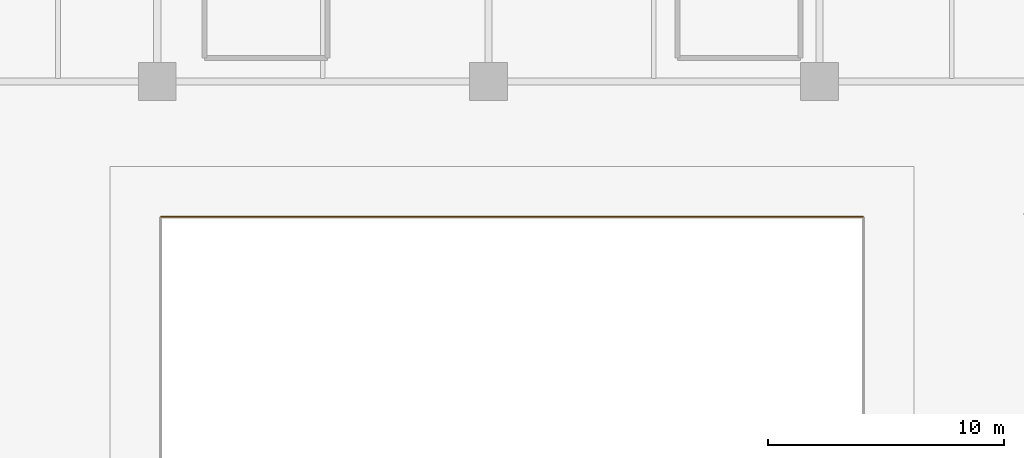
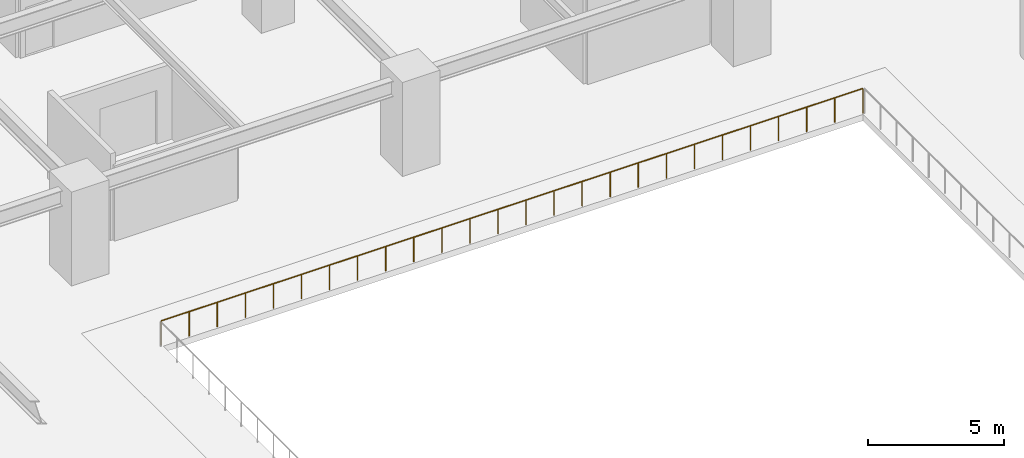
# One storey, part 20 of 22: 1 railing.
"""IFC4 building model written with IfcOpenShell, lengths in metres."""

from ifc_helpers import new_model, si_unit, direction, frame, origin, origin_2d, place, context, subcontext, project, spatial, circle, extrude, material, type_object, element, save


model = new_model("IFC4")

# Units and contexts
model_context = context("Model", 3, precision=1e-05, world=origin(), true_north=direction((0.0, 1.0)))
body_context = subcontext(model_context, "Body", "Model", "MODEL_VIEW")
ifc_project = project(units=[si_unit("LENGTHUNIT", "METRE"), si_unit("AREAUNIT", "SQUARE_METRE"), si_unit("VOLUMEUNIT", "CUBIC_METRE"), si_unit("PLANEANGLEUNIT", "RADIAN"), si_unit("MASSUNIT", "GRAM", prefix="KILO")], contexts=[model_context])

# Site, building, storey
site_placement = place(None, origin())
site = spatial("IfcSite", under=ifc_project, at=site_placement, CompositionType="ELEMENT")
building_placement = place(site_placement, origin())
building = spatial("IfcBuilding", under=site, at=building_placement, Name="Narakoshi Arena Tower", CompositionType="ELEMENT")
storey_placement = place(building_placement, frame((0.0, 0.0, 13.199951171875)))
storey = spatial("IfcBuildingStorey", under=building, at=storey_placement, Name="L03", CompositionType="ELEMENT", Elevation=13.199951171875)

# Railing
ifc_material = material(Name="Clear low-iron laminated structural glass", Category="glass")
railing_type = type_object("IfcRailingType", Name="RL-BAL-1100", PredefinedType="BALUSTRADE", material=ifc_material)
railing_placement = place(storey_placement, frame((41.840087890625, 69.8798828125, 0.0)))
element("IfcRailing", 1, at=railing_placement, inside=storey, type_object=railing_type, Name="L03 Arena Bowl Tier Balustrade 3", PredefinedType="BALUSTRADE", context=body_context, shape_type="SweptSolid", body=[
    extrude(circle(Radius=0.02392578125, at=origin_2d()), frame((0.0, 0.0, 1.09619140625), z_axis=(-1.0, 0.0, 0.0), x_axis=(0.0, -1.0, 0.0)), (0.0, 0.0, 1.0), 29.68017578125),
    extrude(circle(Radius=0.02099609375, at=origin_2d()), origin(), (0.0, 0.0, 1.0), 1.072021484375),
    extrude(circle(Radius=0.02099609375, at=origin_2d()), frame((-1.187255859375, 0.0, 0.0)), (0.0, 0.0, 1.0), 1.072021484375),
    extrude(circle(Radius=0.02099609375, at=origin_2d()), frame((-2.37451171875, 0.0, 0.0)), (0.0, 0.0, 1.0), 1.072021484375),
    extrude(circle(Radius=0.02099609375, at=origin_2d()), frame((-3.5615234375, 0.0, 0.0)), (0.0, 0.0, 1.0), 1.072021484375),
    extrude(circle(Radius=0.02099609375, at=origin_2d()), frame((-4.748779296875, 0.0, 0.0)), (0.0, 0.0, 1.0), 1.072021484375),
    extrude(circle(Radius=0.02099609375, at=origin_2d()), frame((-5.93603515625, 0.0, 0.0)), (0.0, 0.0, 1.0), 1.072021484375),
    extrude(circle(Radius=0.02099609375, at=origin_2d()), frame((-7.123291015625, 0.0, 0.0)), (0.0, 0.0, 1.0), 1.072021484375),
    extrude(circle(Radius=0.02099609375, at=origin_2d()), frame((-8.310546875, 0.0, 0.0)), (0.0, 0.0, 1.0), 1.072021484375),
    extrude(circle(Radius=0.02099609375, at=origin_2d()), frame((-9.49755859375, 0.0, 0.0)), (0.0, 0.0, 1.0), 1.072021484375),
    extrude(circle(Radius=0.02099609375, at=origin_2d()), frame((-10.684814453125, 0.0, 0.0)), (0.0, 0.0, 1.0), 1.072021484375),
    extrude(circle(Radius=0.02099609375, at=origin_2d()), frame((-11.8720703125, 0.0, 0.0)), (0.0, 0.0, 1.0), 1.072021484375),
    extrude(circle(Radius=0.02099609375, at=origin_2d()), frame((-13.059326171875, 0.0, 0.0)), (0.0, 0.0, 1.0), 1.072021484375),
    extrude(circle(Radius=0.02099609375, at=origin_2d()), frame((-14.24658203125, 0.0, 0.0)), (0.0, 0.0, 1.0), 1.072021484375),
    extrude(circle(Radius=0.02099609375, at=origin_2d()), frame((-15.43359375, 0.0, 0.0)), (0.0, 0.0, 1.0), 1.072021484375),
    extrude(circle(Radius=0.02099609375, at=origin_2d()), frame((-16.620849609375, 0.0, 0.0)), (0.0, 0.0, 1.0), 1.072021484375),
    extrude(circle(Radius=0.02099609375, at=origin_2d()), frame((-17.80810546875, 0.0, 0.0)), (0.0, 0.0, 1.0), 1.072021484375),
    extrude(circle(Radius=0.02099609375, at=origin_2d()), frame((-18.995361328125, 0.0, 0.0)), (0.0, 0.0, 1.0), 1.072021484375),
    extrude(circle(Radius=0.02099609375, at=origin_2d()), frame((-20.1826171875, 0.0, 0.0)), (0.0, 0.0, 1.0), 1.072021484375),
    extrude(circle(Radius=0.02099609375, at=origin_2d()), frame((-21.36962890625, 0.0, 0.0)), (0.0, 0.0, 1.0), 1.072021484375),
    extrude(circle(Radius=0.02099609375, at=origin_2d()), frame((-22.556884765625, 0.0, 0.0)), (0.0, 0.0, 1.0), 1.072021484375),
    extrude(circle(Radius=0.02099609375, at=origin_2d()), frame((-23.744140625, 0.0, 0.0)), (0.0, 0.0, 1.0), 1.072021484375),
    extrude(circle(Radius=0.02099609375, at=origin_2d()), frame((-24.931396484375, 0.0, 0.0)), (0.0, 0.0, 1.0), 1.072021484375),
    extrude(circle(Radius=0.02099609375, at=origin_2d()), frame((-26.11865234375, 0.0, 0.0)), (0.0, 0.0, 1.0), 1.072021484375),
    extrude(circle(Radius=0.02099609375, at=origin_2d()), frame((-27.3056640625, 0.0, 0.0)), (0.0, 0.0, 1.0), 1.072021484375),
    extrude(circle(Radius=0.02099609375, at=origin_2d()), frame((-28.492919921875, 0.0, 0.0)), (0.0, 0.0, 1.0), 1.072021484375),
    extrude(circle(Radius=0.02099609375, at=origin_2d()), frame((-29.68017578125, 0.0, 0.0)), (0.0, 0.0, 1.0), 1.072021484375),
])

save(model, "model.ifc")
